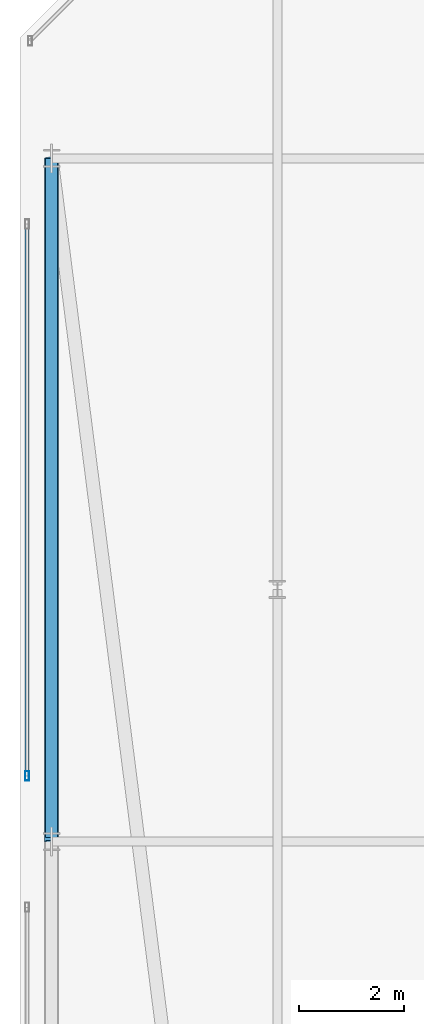
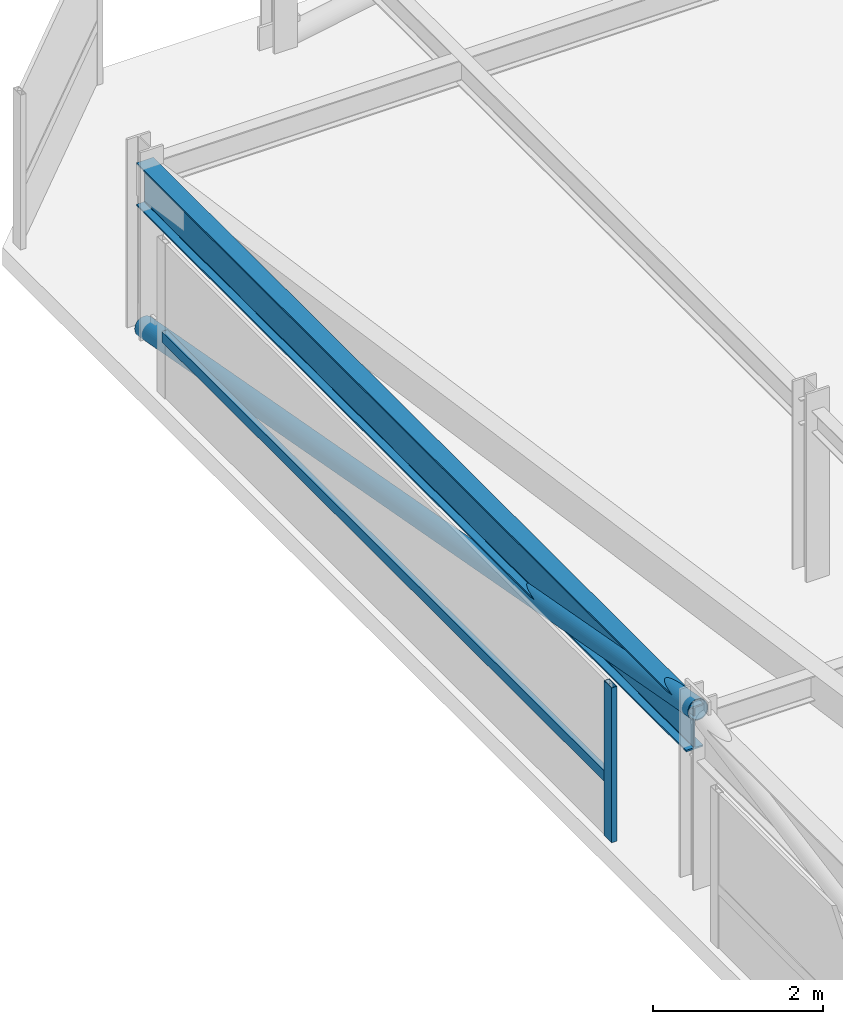
# One storey, part 14 of 42: 3 members, 1 beam, 1 element without a shape of its own.
"""IFC4 building model written with IfcOpenShell, lengths in metres."""

from ifc_helpers import new_model, si_unit, direction, frame, origin, origin_2d, place, context, subcontext, project, spatial, hollow_rectangle, hollow_circle, i_section, extrude, material, material_profile, profile_set, type_object, element, aggregate, save


model = new_model("IFC4")

# Units and contexts
model_context = context("Model", 3, precision=1e-05, world=origin(), true_north=direction((0.0, 1.0)))
body_context = subcontext(model_context, "Body", "Model", "MODEL_VIEW")
ifc_project = project(units=[si_unit("LENGTHUNIT", "METRE"), si_unit("AREAUNIT", "SQUARE_METRE"), si_unit("VOLUMEUNIT", "CUBIC_METRE"), si_unit("PLANEANGLEUNIT", "RADIAN"), si_unit("MASSUNIT", "GRAM", prefix="KILO")], contexts=[model_context])

# Site, building, storey
site_placement = place(None, origin())
site = spatial("IfcSite", under=ifc_project, at=site_placement, CompositionType="ELEMENT")
building_placement = place(site_placement, origin())
building = spatial("IfcBuilding", under=site, at=building_placement, Name="Thornwick Lancets Civic Towers", CompositionType="ELEMENT")
storey_placement = place(building_placement, frame((0.0, 0.0, 289.5)))
storey = spatial("IfcBuildingStorey", under=building, at=storey_placement, Name="C04", CompositionType="ELEMENT", Elevation=289.5)

# Beam
ifc_material_1 = material(Name="Steel S355JR", Category="steel")
ifc_material_profile_1 = material_profile(ifc_material_1, i_section(OverallWidth=0.230224609375, OverallDepth=0.6171875, WebThickness=0.01318359375, FlangeThickness=0.022216796875, FilletRadius=0.0126953125, at=origin_2d()), Name="UKB 610x229x140")
ifc_profile_set_1 = profile_set([ifc_material_profile_1], Name="Steel S355JR")
beam_type = type_object("IfcBeamType", Name="BM_GIRD_610_140", PredefinedType="BEAM", material=ifc_profile_set_1)
beam_placement = place(storey_placement, frame((8.199951171875, 27.080078125, 2.13134765625), z_axis=(0.0, 1.0, 0.0), x_axis=(-1.0, 0.0, 0.0)))
element("IfcBeam", 1, at=beam_placement, inside=storey, type_object=beam_type, Name="BM-SPINE-C04-A-10-11", PredefinedType="BEAM", context=body_context, shape_type="SweptSolid", body=[
    extrude(i_section(OverallWidth=0.230224609375, OverallDepth=0.6171875, WebThickness=0.01318359375, FlangeThickness=0.022216796875, FilletRadius=0.0126953125, at=origin_2d()), origin(), (0.0, 0.0, 1.0), 12.919921875),
])

# Curtain wall, members
ifc_material_2 = material(Name="Crown ring acoustic-louvre and glazing screen wall", Category="glass")
curtain_wall_type = type_object("IfcCurtainWallType", Name="CW_SYS_07", PredefinedType="NOTDEFINED", material=ifc_material_2)
curtain_wall_placement = place(storey_placement, origin())
curtain_wall = element("IfcCurtainWall", 2, at=curtain_wall_placement, inside=storey, type_object=curtain_wall_type, Name="C04 Curtain Wall CW-C04-A-E6-S1", PredefinedType="NOTDEFINED")
ifc_material_3 = material(Name="Thermally broken bronze aluminium S355", Category="steel")
ifc_material_profile_2 = material_profile(ifc_material_3, hollow_rectangle(XDim=0.074951171875, YDim=0.179931640625, WallThickness=0.006103515625, at=origin_2d()), Name="RHS 180x75x6")
ifc_profile_set_2 = profile_set([ifc_material_profile_2], Name="Thermally broken bronze aluminium S355")
member_type_1 = type_object("IfcMemberType", Name="CW_MUL_180", PredefinedType="MULLION", material=ifc_profile_set_2)
member_1_placement = place(storey_placement, frame((7.7353515625, 28.25, 0.0), z_axis=(0.0, 0.0, 1.0), x_axis=(1.0, 0.0, 0.0)))
member_1 = element("IfcMember", 3, at=member_1_placement, type_object=member_type_1, Name="CW-C04-A-E6-S1 Mullion 1", PredefinedType="MULLION", context=body_context, shape_type="SweptSolid", body=[
    extrude(hollow_rectangle(XDim=0.074951171875, YDim=0.179931640625, WallThickness=0.006103515625, at=origin_2d()), origin(), (0.0, 0.0, 1.0), 2.219970703125),
])
ifc_material_profile_3 = material_profile(ifc_material_3, hollow_rectangle(XDim=0.074951171875, YDim=0.14990234375, WallThickness=0.0048828125, at=origin_2d()), Name="RHS 150x75x5")
ifc_profile_set_3 = profile_set([ifc_material_profile_3], Name="Thermally broken bronze aluminium S355")
member_type_2 = type_object("IfcMemberType", Name="CW_TRN_150", PredefinedType="USERDEFINED", material=ifc_profile_set_3)
member_2_placement = place(storey_placement, frame((7.7353515625, 38.72998046875, 0.85009765625), z_axis=(0.0, -1.0, 0.0), x_axis=(1.0, 0.0, 0.0)))
member_2 = element("IfcMember", 4, at=member_2_placement, type_object=member_type_2, Name="CW-C04-A-E6-S1 Transom 0", ObjectType="TRANSOM", PredefinedType="USERDEFINED", context=body_context, shape_type="SweptSolid", body=[
    extrude(hollow_rectangle(XDim=0.074951171875, YDim=0.14990234375, WallThickness=0.0048828125, at=origin_2d()), origin(), (0.0, 0.0, 1.0), 10.4599609375),
])
aggregate(curtain_wall, [member_1, member_2])

# Member
ifc_material_profile_4 = material_profile(ifc_material_1, hollow_circle(Radius=0.136474609375, WallThickness=0.012451171875, at=origin_2d()), Name="CHS 273x12.5")
ifc_profile_set_4 = profile_set([ifc_material_profile_4], Name="Steel S355JR")
member_type_3 = type_object("IfcMemberType", Name="MEM_CROWN_CHS273", PredefinedType="BRACE", material=ifc_profile_set_4)
member_3_placement = place(storey_placement, frame((8.199951171875, 40.0, 0.050048828125), z_axis=(0.0, -0.98351842104, 0.180807951915), x_axis=(1.0, 0.0, 0.0)))
element("IfcMember", 5, at=member_3_placement, inside=storey, type_object=member_type_3, Name="C04 Crown Ring Lancet Rib A-S3-R", PredefinedType="BRACE", context=body_context, shape_type="SweptSolid", body=[
    extrude(hollow_circle(Radius=0.136474609375, WallThickness=0.012451171875, at=origin_2d()), origin(), (0.0, 0.0, 1.0), 13.2177734375),
])

save(model, "model.ifc")
